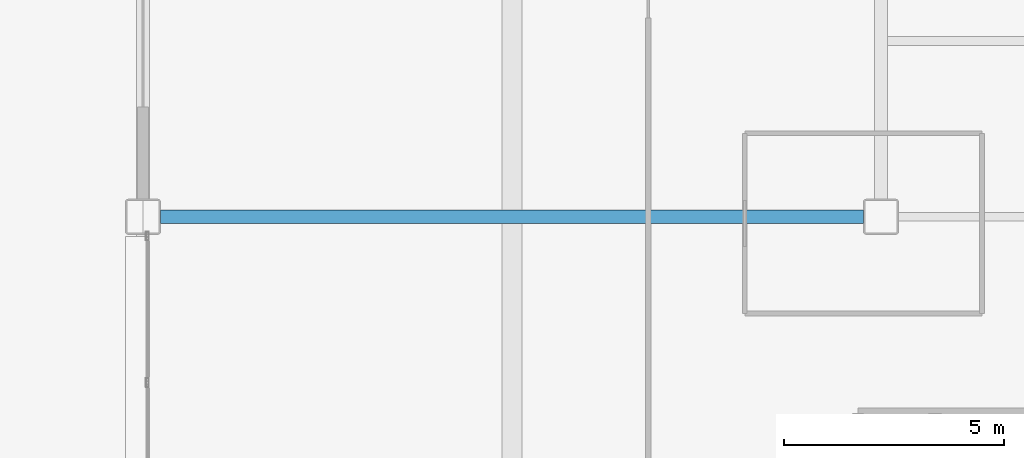
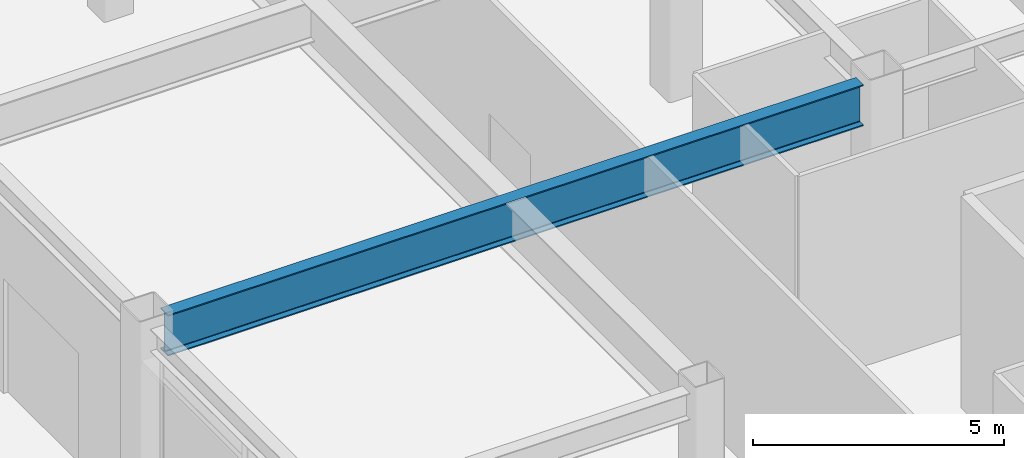
# One storey, part 102 of 165: 1 beam.
"""IFC4 building model written with IfcOpenShell, lengths in metres."""

from ifc_helpers import new_model, si_unit, direction, frame, origin, origin_2d, place, context, subcontext, project, spatial, i_section, extrude, material, material_profile, profile_set, type_object, element, save


model = new_model("IFC4")

# Units and contexts
model_context = context("Model", 3, precision=1e-05, world=origin(), true_north=direction((0.0, 1.0)))
body_context = subcontext(model_context, "Body", "Model", "MODEL_VIEW")
ifc_project = project(units=[si_unit("LENGTHUNIT", "METRE"), si_unit("AREAUNIT", "SQUARE_METRE"), si_unit("VOLUMEUNIT", "CUBIC_METRE"), si_unit("PLANEANGLEUNIT", "RADIAN"), si_unit("MASSUNIT", "GRAM", prefix="KILO")], contexts=[model_context])

# Site, building, storey
site_placement = place(None, origin())
site = spatial("IfcSite", under=ifc_project, at=site_placement, CompositionType="ELEMENT")
building_placement = place(site_placement, origin())
building = spatial("IfcBuilding", under=site, at=building_placement, Name="Kazehara Bluff Congress Hotel", CompositionType="ELEMENT")
storey_placement = place(building_placement, origin())
storey = spatial("IfcBuildingStorey", under=building, at=storey_placement, Name="L00", CompositionType="ELEMENT", Elevation=0.0)

# Beam
ifc_material = material(Name="Steel SN490B", Category="steel")
ifc_material_profile = material_profile(ifc_material, i_section(OverallWidth=0.300048828125, OverallDepth=1.0, WebThickness=0.01611328125, FlangeThickness=0.028076171875, FilletRadius=0.02197265625, at=origin_2d()))
ifc_profile_set = profile_set([ifc_material_profile], Name="Steel SN490B")
beam_type = type_object("IfcBeamType", Name="TP-G-09", PredefinedType="BEAM", material=ifc_profile_set)
beam_placement = place(storey_placement, frame((144.10009765625, 80.89990234375, 4.64990234375), z_axis=(1.0, 0.0, 0.0), x_axis=(0.0, 1.0, 0.0)))
element("IfcBeam", 1, at=beam_placement, inside=storey, type_object=beam_type, Name="L00 girder G-09 306", PredefinedType="BEAM", context=body_context, shape_type="SweptSolid", body=[
    extrude(i_section(OverallWidth=0.300048828125, OverallDepth=1.0, WebThickness=0.01611328125, FlangeThickness=0.028076171875, FilletRadius=0.02197265625, at=origin_2d()), origin(), (0.0, 0.0, 1.0), 16.0),
])

save(model, "model.ifc")
